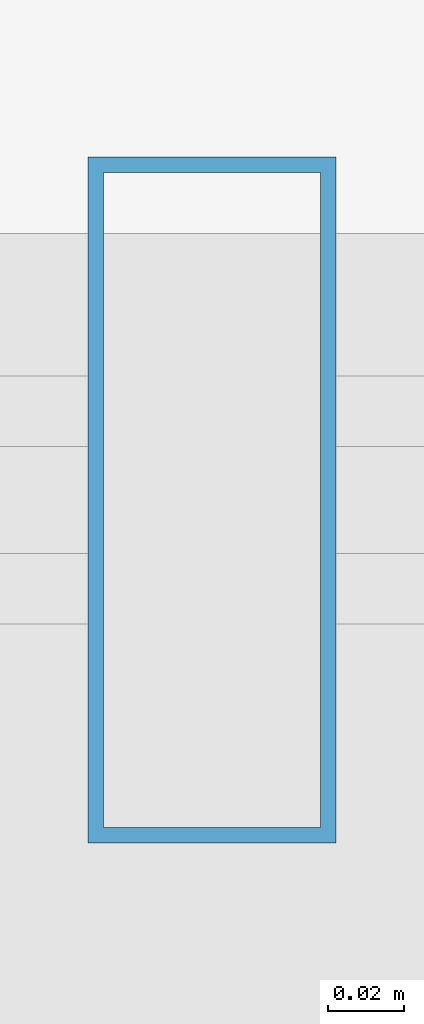
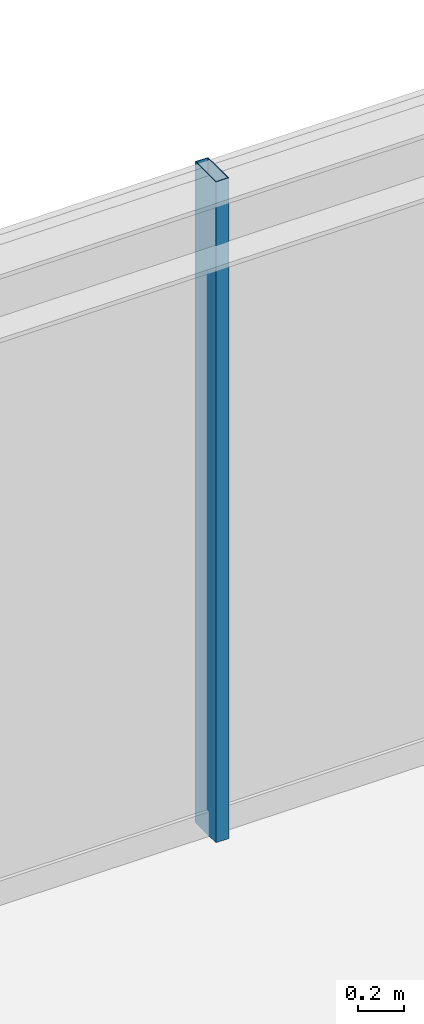
# One storey, part 21 of 32: 1 member, 1 element without a shape of its own.
"""IFC4 building model written with IfcOpenShell, lengths in metres."""

from ifc_helpers import new_model, si_unit, direction, frame, origin, origin_2d, place, context, subcontext, project, spatial, hollow_rectangle, extrude, source, transform, mapped, material, material_profile, profile_set, type_object, element, aggregate, save


model = new_model("IFC4")

# Units and contexts
model_context = context("Model", 3, precision=1e-05, world=origin(), true_north=direction((0.0, 1.0)))
body_context = subcontext(model_context, "Body", "Model", "MODEL_VIEW")
ifc_project = project(units=[si_unit("LENGTHUNIT", "METRE"), si_unit("AREAUNIT", "SQUARE_METRE"), si_unit("VOLUMEUNIT", "CUBIC_METRE"), si_unit("PLANEANGLEUNIT", "RADIAN"), si_unit("MASSUNIT", "GRAM", prefix="KILO")], contexts=[model_context])

# Site, building, storey
site_placement = place(None, origin())
site = spatial("IfcSite", under=ifc_project, at=site_placement, CompositionType="ELEMENT")
building_placement = place(site_placement, origin())
building = spatial("IfcBuilding", under=site, at=building_placement, Name="Nahalor Promenade Grand Hotel", CompositionType="ELEMENT")
storey_placement = place(building_placement, frame((0.0, 0.0, 330.949951171875)))
storey = spatial("IfcBuildingStorey", under=building, at=storey_placement, Name="L85", CompositionType="ELEMENT", Elevation=330.949951171875)

# Curtain wall, member
ifc_material = material(Name="Anodised Bronze Aluminium EN AW-6063 T6", Category="aluminium")
curtain_wall_type = type_object("IfcCurtainWallType", Name="CW2 Typical Hotel Flush Bronze Unitised Curtain Wall", PredefinedType="USERDEFINED", material=ifc_material)
curtain_wall_placement = place(storey_placement, origin())
curtain_wall = element("IfcCurtainWall", 1, at=curtain_wall_placement, inside=storey, type_object=curtain_wall_type, Name="L85 Curtain Wall CW-L85-N-1", ObjectType="UNITISED_CURTAIN_WALL", PredefinedType="USERDEFINED")
ifc_material_profile = material_profile(ifc_material, hollow_rectangle(XDim=0.065, YDim=0.18, WallThickness=0.004, at=origin_2d()), Name="CWM 65x180x4")
ifc_profile_set = profile_set([ifc_material_profile], Name="Anodised Bronze Aluminium EN AW-6063 T6")
member_type = type_object("IfcMemberType", Name="CWM2 Typical Bronze Mullion 65x180", PredefinedType="MULLION", material=ifc_profile_set)
shared_shape = source(origin(), body_context, "Body", "SweptSolid", [
    extrude(hollow_rectangle(XDim=0.065, YDim=0.18, WallThickness=0.004, at=origin_2d()), origin(), (0.0, 0.0, 1.0), 3.5),
])
member_placement = place(storey_placement, frame((6.586669921875, 22.56005859375, 0.0), z_axis=(0.0, 0.0, 1.0), x_axis=(1.0, 0.0, 0.0)))
member = element("IfcMember", 2, at=member_placement, type_object=member_type, Name="CW-L85-N-1 Mullion 2", PredefinedType="MULLION", context=body_context, shape_type="MappedRepresentation", body=[
    mapped(shared_shape, transform((0.0, 0.0, 0.0), scale=1.0)),
])
aggregate(curtain_wall, [member])

save(model, "model.ifc")
